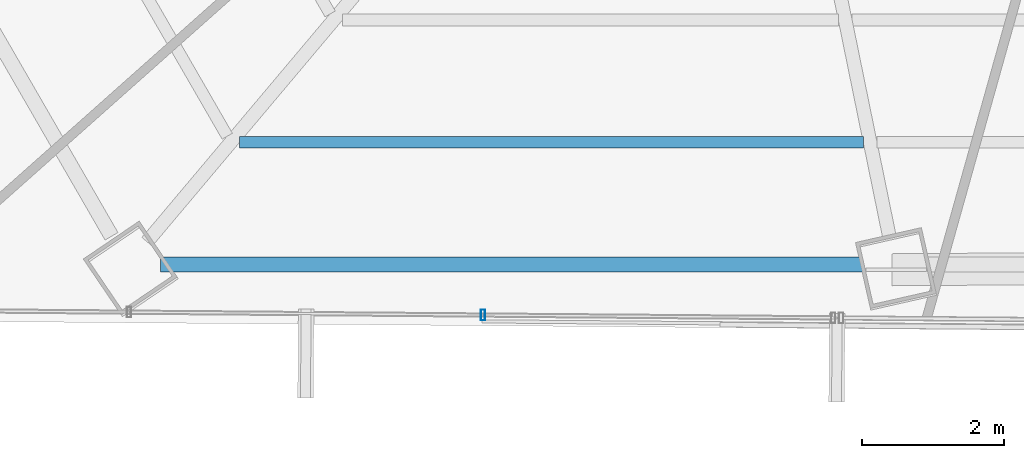
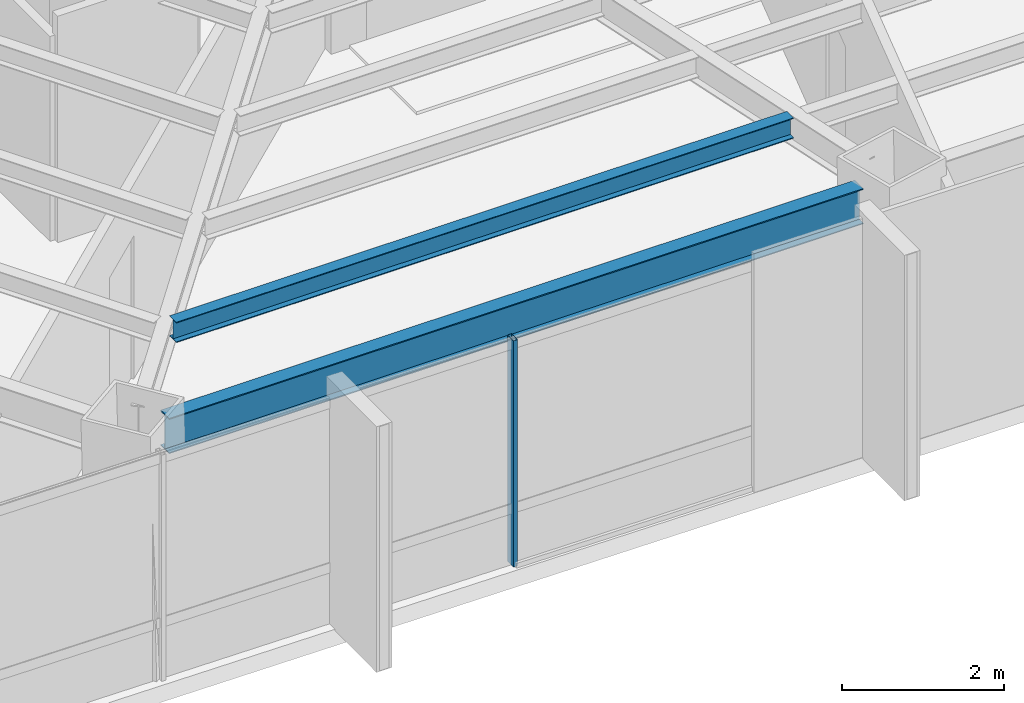
# One storey, part 4 of 39: 2 beams, 1 member, 1 element without a shape of its own.
"""IFC4 building model written with IfcOpenShell, lengths in metres."""

from ifc_helpers import new_model, si_unit, direction, frame, origin, origin_2d, place, context, subcontext, project, spatial, hollow_rectangle, i_section, extrude, source, transform, mapped, material, material_profile, profile_set, type_object, type_shapes, element, aggregate, save


model = new_model("IFC4")

# Units and contexts
model_context = context("Model", 3, precision=1e-05, world=origin(), true_north=direction((0.0, 1.0)))
body_context = subcontext(model_context, "Body", "Model", "MODEL_VIEW")
ifc_project = project(units=[si_unit("LENGTHUNIT", "METRE"), si_unit("AREAUNIT", "SQUARE_METRE"), si_unit("VOLUMEUNIT", "CUBIC_METRE"), si_unit("PLANEANGLEUNIT", "RADIAN"), si_unit("MASSUNIT", "GRAM", prefix="KILO")], contexts=[model_context])

# Site, building, storey
site_placement = place(None, origin())
site = spatial("IfcSite", under=ifc_project, at=site_placement, CompositionType="ELEMENT")
building_placement = place(site_placement, origin())
building = spatial("IfcBuilding", under=site, at=building_placement, Name="Caelisora Broadcast Tower", CompositionType="ELEMENT")
storey_placement = place(building_placement, frame((0.0, 0.0, 139.10009765625)))
storey = spatial("IfcBuildingStorey", under=building, at=storey_placement, Name="L36", CompositionType="ELEMENT", Elevation=139.10009765625)

# Beams
ifc_material_1 = material(Name="Steel Grade 350 (AS/NZS 3679.1)", Category="steel")
ifc_material_profile_1 = material_profile(ifc_material_1, i_section(OverallWidth=0.208984375, OverallDepth=0.532958984375, WebThickness=0.01025390625, FlangeThickness=0.015625, at=origin_2d()), Name="Steel Grade 350 (AS/NZS 3679.1)")
ifc_profile_set_1 = profile_set([ifc_material_profile_1], Name="Steel Grade 350 (AS/NZS 3679.1)")
beam_type_1 = type_object("IfcBeamType", Name="PG05", PredefinedType="BEAM", material=ifc_profile_set_1)
shared_shape_1 = source(origin(), body_context, "Body", "SweptSolid", [
    extrude(i_section(OverallWidth=0.208984375, OverallDepth=0.532958984375, WebThickness=0.01025390625, FlangeThickness=0.015625, at=origin_2d()), origin(), (0.0, 0.0, 1.0), 9.86865234375),
])
type_shapes(beam_type_1, [shared_shape_1])
beam_1_placement = place(storey_placement, frame((22.27685546875, 7.080810546875, 3.13330078125), z_axis=(1.0, 0.0, 0.0), x_axis=(0.0, 1.0, 0.0)))
element("IfcBeam", 1, at=beam_1_placement, inside=storey, type_object=beam_type_1, Name="L36 beam PG05", PredefinedType="BEAM", context=body_context, shape_type="MappedRepresentation", body=[
    mapped(shared_shape_1, transform((0.0, 0.0, 0.0), scale=1.0)),
])
ifc_material_profile_2 = material_profile(ifc_material_1, i_section(OverallWidth=0.166015625, OverallDepth=0.30712890625, WebThickness=0.006591796875, FlangeThickness=0.01171875, at=origin_2d()), Name="Steel Grade 350 (AS/NZS 3679.1)")
ifc_profile_set_2 = profile_set([ifc_material_profile_2], Name="Steel Grade 350 (AS/NZS 3679.1)")
beam_type_2 = type_object("IfcBeamType", Name="SB03", PredefinedType="JOIST", material=ifc_profile_set_2)
shared_shape_2 = source(origin(), body_context, "Body", "SweptSolid", [
    extrude(i_section(OverallWidth=0.166015625, OverallDepth=0.30712890625, WebThickness=0.006591796875, FlangeThickness=0.01171875, at=origin_2d()), origin(), (0.0, 0.0, 1.0), 8.7744140625),
])
type_shapes(beam_type_2, [shared_shape_2])
beam_2_placement = place(storey_placement, frame((23.3857421875, 8.80078125, 3.246337890625), z_axis=(1.0, 0.0, 0.0), x_axis=(0.0, 1.0, 0.0)))
element("IfcBeam", 2, at=beam_2_placement, inside=storey, type_object=beam_type_2, Name="L36 beam SB03", PredefinedType="JOIST", context=body_context, shape_type="MappedRepresentation", body=[
    mapped(shared_shape_2, transform((0.0, 0.0, 0.0), scale=1.0)),
])

# Curtain wall, member
ifc_material_2 = material(Name="Unitised Aluminium and Low-E Glass Curtain Wall", Category="glass")
curtain_wall_type = type_object("IfcCurtainWallType", Name="CW-Z3", PredefinedType="NOTDEFINED", material=ifc_material_2)
curtain_wall_placement = place(storey_placement, origin())
curtain_wall = element("IfcCurtainWall", 3, at=curtain_wall_placement, inside=storey, type_object=curtain_wall_type, Name="L36 curtain wall CW-Z3", PredefinedType="NOTDEFINED")
ifc_material_3 = material(Name="Aluminium 6063-T6 Anodised Terracotta Bronze", Category="aluminium")
ifc_material_profile_3 = material_profile(ifc_material_3, hollow_rectangle(XDim=0.06005859375, YDim=0.14990234375, WallThickness=0.00341796875, at=origin_2d()), Name="Aluminium 6063-T6 Anodised Terracotta Bronze")
ifc_profile_set_3 = profile_set([ifc_material_profile_3], Name="Aluminium 6063-T6 Anodised Terracotta Bronze")
member_type = type_object("IfcMemberType", Name="CWM-03", PredefinedType="MULLION", material=ifc_profile_set_3)
shared_shape_3 = source(origin(), body_context, "Body", "SweptSolid", [
    extrude(hollow_rectangle(XDim=0.06005859375, YDim=0.14990234375, WallThickness=0.00341796875, at=origin_2d()), origin(), (0.0, 0.0, 1.0), 3.39990234375),
])
type_shapes(member_type, [shared_shape_3])
member_placement = place(storey_placement, frame((26.8095703125, 6.37158203125, 0.0), z_axis=(0.0, 0.0, 1.0), x_axis=(1.0, 0.0, 0.0)))
member = element("IfcMember", 4, at=member_placement, type_object=member_type, Name="L36-CW-B07 mullion #1", PredefinedType="MULLION", context=body_context, shape_type="MappedRepresentation", body=[
    mapped(shared_shape_3, transform((0.0, 0.0, 0.0), scale=1.0)),
])
aggregate(curtain_wall, [member])

save(model, "model.ifc")
